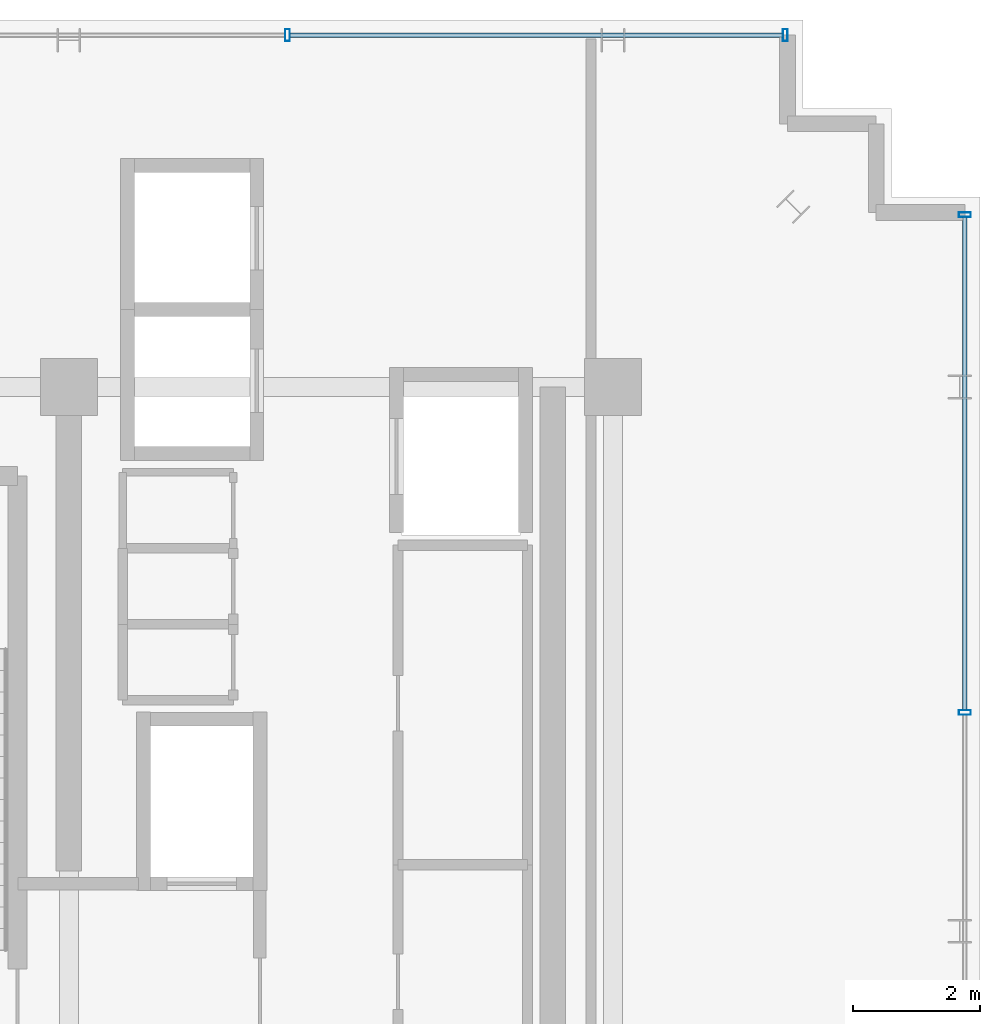
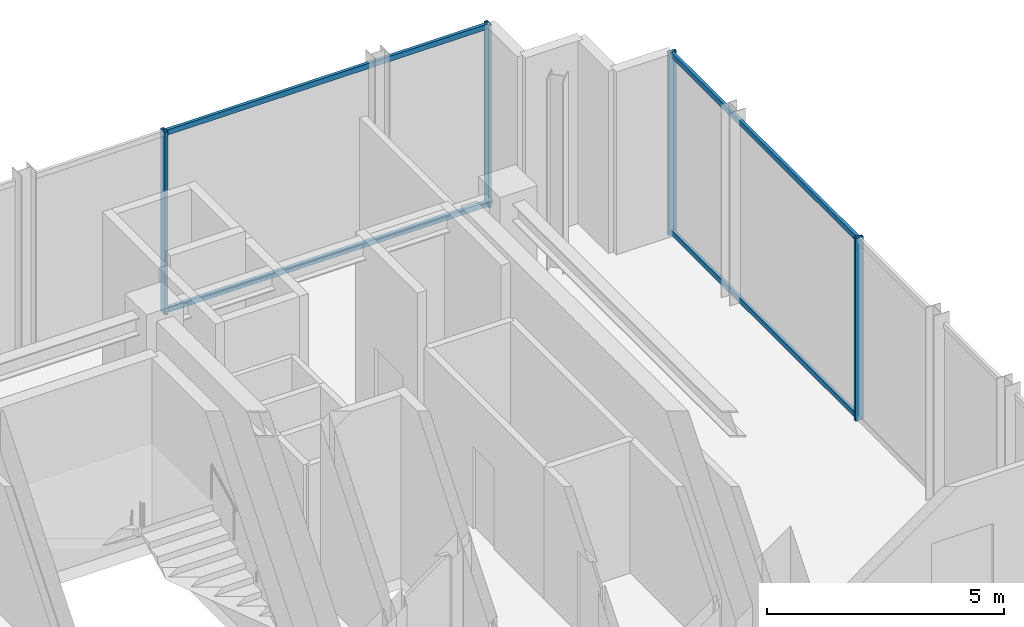
# One storey, part 21 of 28: 8 members, 2 elements without a shape of their own.
"""IFC4 building model written with IfcOpenShell, lengths in metres."""

from ifc_helpers import new_model, si_unit, direction, frame, origin, origin_2d, place, context, subcontext, project, spatial, hollow_rectangle, extrude, source, transform, mapped, material, material_profile, profile_set, type_object, element, aggregate, save


model = new_model("IFC4")

# Units and contexts
model_context = context("Model", 3, precision=1e-05, world=origin(), true_north=direction((0.0, 1.0)))
body_context = subcontext(model_context, "Body", "Model", "MODEL_VIEW")
ifc_project = project(units=[si_unit("LENGTHUNIT", "METRE"), si_unit("AREAUNIT", "SQUARE_METRE"), si_unit("VOLUMEUNIT", "CUBIC_METRE"), si_unit("PLANEANGLEUNIT", "RADIAN"), si_unit("MASSUNIT", "GRAM", prefix="KILO")], contexts=[model_context])

# Site, building, storey
site_placement = place(None, origin())
site = spatial("IfcSite", under=ifc_project, at=site_placement, CompositionType="ELEMENT")
building_placement = place(site_placement, origin())
building = spatial("IfcBuilding", under=site, at=building_placement, Name="Nahalor Promenade Grand Hotel", CompositionType="ELEMENT")
storey_placement = place(building_placement, frame((0.0, 0.0, 352.050048828125)))
storey = spatial("IfcBuildingStorey", under=building, at=storey_placement, Name="L90", CompositionType="ELEMENT", Elevation=352.050048828125)

# Curtain wall, members
ifc_material = material(Name="Anodised Bronze Aluminium EN AW-6063 T6", Category="aluminium")
curtain_wall_type = type_object("IfcCurtainWallType", Name="CW6 Crown Botanical Conservatory Curtain Wall", PredefinedType="USERDEFINED", material=ifc_material)
curtain_wall_1_placement = place(storey_placement, origin())
curtain_wall_1 = element("IfcCurtainWall", 1, at=curtain_wall_1_placement, inside=storey, type_object=curtain_wall_type, Name="L90 Curtain Wall CW-L90-N-1", ObjectType="UNITISED_CURTAIN_WALL", PredefinedType="USERDEFINED")
ifc_material_profile_1 = material_profile(ifc_material, hollow_rectangle(XDim=0.075, YDim=0.19, WallThickness=0.005, at=origin_2d()), Name="CWM 75x190x5")
ifc_profile_set_1 = profile_set([ifc_material_profile_1], Name="Anodised Bronze Aluminium EN AW-6063 T6")
member_type_1 = type_object("IfcMemberType", Name="CWM6 Conservatory Bronze Mullion 75x190", PredefinedType="MULLION", material=ifc_profile_set_1)
shared_shape_1 = source(origin(), body_context, "Body", "SweptSolid", [
    extrude(hollow_rectangle(XDim=0.075, YDim=0.19, WallThickness=0.005, at=origin_2d()), origin(), (0.0, 0.0, 1.0), 4.699951171875),
])
member_1_placement = place(storey_placement, frame((11.85595703125, 22.56005859375, 0.0), z_axis=(0.0, 0.0, 1.0), x_axis=(1.0, 0.0, 0.0)))
member_1 = element("IfcMember", 2, at=member_1_placement, type_object=member_type_1, Name="CW-L90-N-1 Mullion 4", PredefinedType="MULLION", context=body_context, shape_type="MappedRepresentation", body=[
    mapped(shared_shape_1, transform((0.0, 0.0, 0.0), scale=1.0)),
])
member_2_placement = place(storey_placement, frame((19.722412109375, 22.56005859375, 0.0), z_axis=(0.0, 0.0, 1.0), x_axis=(1.0, 0.0, 0.0)))
member_2 = element("IfcMember", 3, at=member_2_placement, type_object=member_type_1, Name="CW-L90-N-1 Mullion 5", PredefinedType="MULLION", context=body_context, shape_type="MappedRepresentation", body=[
    mapped(shared_shape_1, transform((0.0, 0.0, 0.0), scale=1.0)),
])

curtain_wall_2_placement = place(storey_placement, origin())
curtain_wall_2 = element("IfcCurtainWall", 4, at=curtain_wall_2_placement, inside=storey, type_object=curtain_wall_type, Name="L90 Curtain Wall CW-L90-E-1", ObjectType="UNITISED_CURTAIN_WALL", PredefinedType="USERDEFINED")
member_3_placement = place(storey_placement, frame((22.56005859375, 11.85595703125, 0.0), z_axis=(0.0, 0.0, 1.0), x_axis=(0.0, 1.0, 0.0)))
member_3 = element("IfcMember", 5, at=member_3_placement, type_object=member_type_1, Name="CW-L90-E-1 Mullion 4", PredefinedType="MULLION", context=body_context, shape_type="MappedRepresentation", body=[
    mapped(shared_shape_1, transform((0.0, 0.0, 0.0), scale=1.0)),
])
member_4_placement = place(storey_placement, frame((22.56005859375, 19.722412109375, 0.0), z_axis=(0.0, 0.0, 1.0), x_axis=(0.0, 1.0, 0.0)))
member_4 = element("IfcMember", 6, at=member_4_placement, type_object=member_type_1, Name="CW-L90-E-1 Mullion 5", PredefinedType="MULLION", context=body_context, shape_type="MappedRepresentation", body=[
    mapped(shared_shape_1, transform((0.0, 0.0, 0.0), scale=1.0)),
])

# Member
ifc_material_profile_2 = material_profile(ifc_material, hollow_rectangle(XDim=0.075, YDim=0.135, WallThickness=0.004, at=origin_2d()), Name="CWT 75x135x4")
ifc_profile_set_2 = profile_set([ifc_material_profile_2], Name="Anodised Bronze Aluminium EN AW-6063 T6")
member_type_2 = type_object("IfcMemberType", Name="CWT6 Conservatory Transom 75x135", PredefinedType="USERDEFINED", material=ifc_profile_set_2)
shared_shape_2 = source(origin(), body_context, "Body", "SweptSolid", [
    extrude(hollow_rectangle(XDim=0.075, YDim=0.135, WallThickness=0.004, at=origin_2d()), origin(), (0.0, 0.0, 1.0), 7.79150390625),
])
member_5_placement = place(storey_placement, frame((11.8935546875, 22.56005859375, 0.0673828125), z_axis=(1.0, 0.0, 0.0), x_axis=(0.0, 1.0, 0.0)))
member_5 = element("IfcMember", 7, at=member_5_placement, type_object=member_type_2, Name="CW-L90-N-1 Transom 4-0", ObjectType="TRANSOM", PredefinedType="USERDEFINED", context=body_context, shape_type="MappedRepresentation", body=[
    mapped(shared_shape_2, transform((0.0, 0.0, 0.0), scale=1.0)),
])

member_6_placement = place(storey_placement, frame((11.8935546875, 22.56005859375, 4.632568359375), z_axis=(1.0, 0.0, 0.0), x_axis=(0.0, 1.0, 0.0)))
member_6 = element("IfcMember", 8, at=member_6_placement, type_object=member_type_2, Name="CW-L90-N-1 Transom 4-1", ObjectType="TRANSOM", PredefinedType="USERDEFINED", context=body_context, shape_type="MappedRepresentation", body=[
    mapped(shared_shape_2, transform((0.0, 0.0, 0.0), scale=1.0)),
])

aggregate(curtain_wall_1, [member_1, member_2, member_5, member_6])

member_7_placement = place(storey_placement, frame((22.56005859375, 11.8935546875, 0.0673828125), z_axis=(0.0, 1.0, 0.0), x_axis=(-1.0, 0.0, 0.0)))
member_7 = element("IfcMember", 9, at=member_7_placement, type_object=member_type_2, Name="CW-L90-E-1 Transom 4-0", ObjectType="TRANSOM", PredefinedType="USERDEFINED", context=body_context, shape_type="MappedRepresentation", body=[
    mapped(shared_shape_2, transform((0.0, 0.0, 0.0), scale=1.0)),
])

member_8_placement = place(storey_placement, frame((22.56005859375, 11.8935546875, 4.632568359375), z_axis=(0.0, 1.0, 0.0), x_axis=(-1.0, 0.0, 0.0)))
member_8 = element("IfcMember", 10, at=member_8_placement, type_object=member_type_2, Name="CW-L90-E-1 Transom 4-1", ObjectType="TRANSOM", PredefinedType="USERDEFINED", context=body_context, shape_type="MappedRepresentation", body=[
    mapped(shared_shape_2, transform((0.0, 0.0, 0.0), scale=1.0)),
])

aggregate(curtain_wall_2, [member_3, member_4, member_7, member_8])

save(model, "model.ifc")
